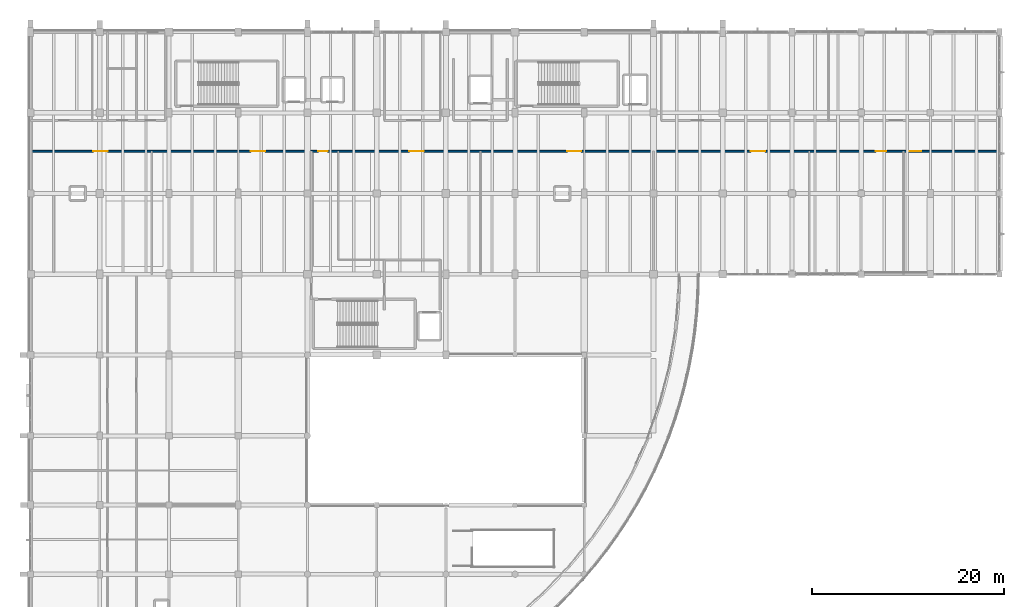
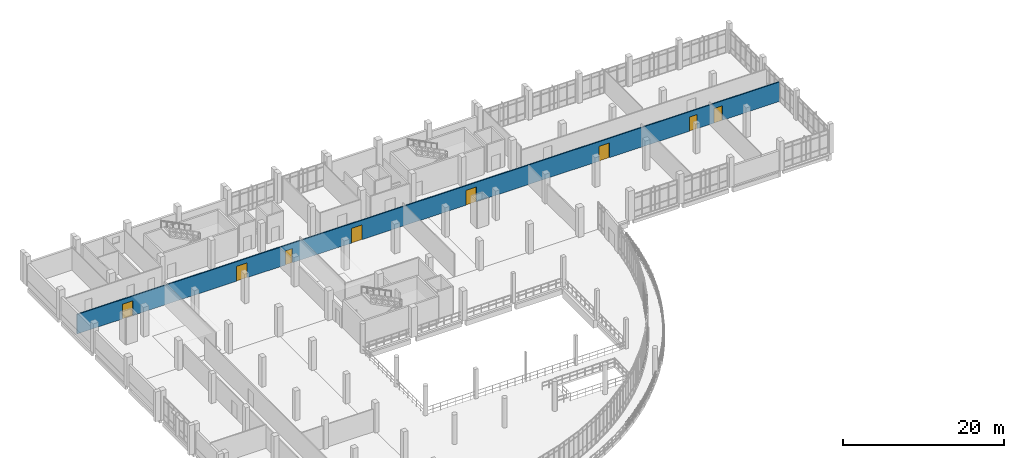
# One storey, part 105 of 116: 8 doors, 1 wall, 8 openings.
"""IFC4 building model written with IfcOpenShell, lengths in metres."""

from ifc_helpers import new_model, si_unit, direction, frame, frame_2d, origin, place, context, subcontext, project, spatial, rectangle, extrude, material, layer, layer_set, type_object, element, fill, save


model = new_model("IFC4")

# Units and contexts
model_context = context("Model", 3, precision=1e-05, world=origin(), true_north=direction((0.0, 1.0)))
body_context = subcontext(model_context, "Body", "Model", "MODEL_VIEW")
ifc_project = project(units=[si_unit("LENGTHUNIT", "METRE"), si_unit("AREAUNIT", "SQUARE_METRE"), si_unit("VOLUMEUNIT", "CUBIC_METRE"), si_unit("PLANEANGLEUNIT", "RADIAN"), si_unit("MASSUNIT", "GRAM", prefix="KILO")], contexts=[model_context])

# Site, building, storey
site_placement = place(None, origin())
site = spatial("IfcSite", under=ifc_project, at=site_placement, CompositionType="ELEMENT")
building_placement = place(site_placement, origin())
building = spatial("IfcBuilding", under=site, at=building_placement, Name="Kalluvel Institute of Natural Sciences", CompositionType="ELEMENT")
storey_placement = place(building_placement, frame((0.0, 0.0, 14.39990234375)))
storey = spatial("IfcBuildingStorey", under=building, at=storey_placement, Name="L03", CompositionType="ELEMENT", Elevation=14.39990234375)

# Wall, openings, doors
ifc_material_1 = material(Name="Autoclaved Aerated Concrete Masonry Block", Category="masonry")
ifc_layer = layer(ifc_material_1, 0.159912109375)
ifc_layer_set = layer_set([ifc_layer], Name="Autoclaved Aerated Concrete Masonry Block")
wall_type = type_object("IfcWallType", Name="WL-PART-160", PredefinedType="PARTITIONING", material=ifc_layer_set)
wall_placement = place(storey_placement, frame((14.0, 115.60009765625, 0.0), z_axis=(0.0, 0.0, 1.0), x_axis=(1.0, 0.0, 0.0)))
wall = element("IfcWall", 1, at=wall_placement, inside=storey, type_object=wall_type, Name="L03 interior partition wall WL-INT-L03-0185", PredefinedType="PARTITIONING", context=body_context, shape_type="SweptSolid", body=[
    extrude(rectangle(XDim=100.800048828125, YDim=0.159912109375, at=frame_2d((50.39990234375, 0.0))), origin(), (0.0, 0.0, 1.0), 2.960205078125),
])
opening_1_placement = place(wall_placement, frame((29.89990234375, 0.0, 0.0)))
opening_1 = element("IfcOpeningElement", 2, at=opening_1_placement, cuts=wall, Name="Opening D-153", PredefinedType="OPENING", context=body_context, shape_type="SweptSolid", body=[
    extrude(rectangle(XDim=1.0, YDim=2.14990234375, at=frame_2d((0.5, 1.074951171875))), frame((0.0, 0.08984375, 0.0), z_axis=(0.0, -1.0, 0.0), x_axis=(1.0, 0.0, 0.0)), (0.0, 0.0, 1.0), 0.179931640625),
])
opening_2_placement = place(wall_placement, frame((6.5, 0.0, 0.0)))
opening_2 = element("IfcOpeningElement", 3, at=opening_2_placement, cuts=wall, Name="Opening D-154", PredefinedType="OPENING", context=body_context, shape_type="SweptSolid", body=[
    extrude(rectangle(XDim=1.5, YDim=2.25, at=frame_2d((0.75, 1.125))), frame((0.0, 0.08984375, 0.0), z_axis=(0.0, -1.0, 0.0), x_axis=(1.0, 0.0, 0.0)), (0.0, 0.0, 1.0), 0.179931640625),
])
opening_3_placement = place(wall_placement, frame((22.89990234375, 0.0, 0.0)))
opening_3 = element("IfcOpeningElement", 4, at=opening_3_placement, cuts=wall, Name="Opening D-155", PredefinedType="OPENING", context=body_context, shape_type="SweptSolid", body=[
    extrude(rectangle(XDim=1.5, YDim=2.25, at=frame_2d((0.75, 1.125))), frame((0.0, 0.08984375, 0.0), z_axis=(0.0, -1.0, 0.0), x_axis=(1.0, 0.0, 0.0)), (0.0, 0.0, 1.0), 0.179931640625),
])
opening_4_placement = place(wall_placement, frame((39.39990234375, 0.0, 0.0)))
opening_4 = element("IfcOpeningElement", 5, at=opening_4_placement, cuts=wall, Name="Opening D-156", PredefinedType="OPENING", context=body_context, shape_type="SweptSolid", body=[
    extrude(rectangle(XDim=1.5, YDim=2.25, at=frame_2d((0.75, 1.125))), frame((0.0, 0.08984375, 0.0), z_axis=(0.0, -1.0, 0.0), x_axis=(1.0, 0.0, 0.0)), (0.0, 0.0, 1.0), 0.179931640625),
])
opening_5_placement = place(wall_placement, frame((55.800048828125, 0.0, 0.0)))
opening_5 = element("IfcOpeningElement", 6, at=opening_5_placement, cuts=wall, Name="Opening D-157", PredefinedType="OPENING", context=body_context, shape_type="SweptSolid", body=[
    extrude(rectangle(XDim=1.5, YDim=2.25, at=frame_2d((0.75, 1.125))), frame((0.0, 0.08984375, 0.0), z_axis=(0.0, -1.0, 0.0), x_axis=(1.0, 0.0, 0.0)), (0.0, 0.0, 1.0), 0.179931640625),
])
opening_6_placement = place(wall_placement, frame((74.89990234375, 0.0, 0.0)))
opening_6 = element("IfcOpeningElement", 7, at=opening_6_placement, cuts=wall, Name="Opening D-158", PredefinedType="OPENING", context=body_context, shape_type="SweptSolid", body=[
    extrude(rectangle(XDim=1.5, YDim=2.25, at=frame_2d((0.75, 1.125))), frame((0.0, 0.08984375, 0.0), z_axis=(0.0, -1.0, 0.0), x_axis=(1.0, 0.0, 0.0)), (0.0, 0.0, 1.0), 0.179931640625),
])
opening_7_placement = place(wall_placement, frame((87.89990234375, 0.0, 0.0)))
opening_7 = element("IfcOpeningElement", 8, at=opening_7_placement, cuts=wall, Name="Opening D-159", PredefinedType="OPENING", context=body_context, shape_type="SweptSolid", body=[
    extrude(rectangle(XDim=1.10009765625, YDim=2.14990234375, at=frame_2d((0.550048828125, 1.074951171875))), frame((0.0, 0.08984375, 0.0), z_axis=(0.0, -1.0, 0.0), x_axis=(1.0, 0.0, 0.0)), (0.0, 0.0, 1.0), 0.179931640625),
])
opening_8_placement = place(wall_placement, frame((91.449951171875, 0.0, 0.0)))
opening_8 = element("IfcOpeningElement", 9, at=opening_8_placement, cuts=wall, Name="Opening D-160", PredefinedType="OPENING", context=body_context, shape_type="SweptSolid", body=[
    extrude(rectangle(XDim=1.179931640625, YDim=2.199951171875, at=frame_2d((0.58984375, 1.10009765625))), frame((0.0, 0.08984375, 0.0), z_axis=(0.0, -1.0, 0.0), x_axis=(1.0, 0.0, 0.0)), (0.0, 0.0, 1.0), 0.179931640625),
])
ifc_material_2 = material(Name="Engineered Hardwood Acoustic Leaf", Category="wood")
door_type_1 = type_object("IfcDoorType", Name="DR-INT-1000", OperationType="NOTDEFINED", PredefinedType="DOOR", material=ifc_material_2)
door_1_placement = place(opening_1_placement, origin())
door_1 = element("IfcDoor", 10, at=door_1_placement, inside=storey, type_object=door_type_1, Name="L03 Knuckle to Spine door D-153", OperationType="SINGLE_SWING_RIGHT", OverallHeight=2.14990234375, OverallWidth=1.0, PredefinedType="DOOR", context=body_context, shape_type="SweptSolid", body=[
    extrude(rectangle(XDim=1.0, YDim=2.14990234375, at=frame_2d((0.5, 1.074951171875))), frame((0.0, 0.02490234375, 0.0), z_axis=(0.0, -1.0, 0.0), x_axis=(1.0, 0.0, 0.0)), (0.0, 0.0, 1.0), 0.050048828125),
])
fill(opening_1, door_1)
door_type_2 = type_object("IfcDoorType", Name="DR-INT-1100", OperationType="NOTDEFINED", PredefinedType="DOOR", material=ifc_material_2)
door_2_placement = place(opening_7_placement, origin())
door_2 = element("IfcDoor", 11, at=door_2_placement, inside=storey, type_object=door_type_2, Name="Fluorescence Confocal Microscopy Suite door D-159", OperationType="SINGLE_SWING_RIGHT", OverallHeight=2.14990234375, OverallWidth=1.10009765625, PredefinedType="DOOR", context=body_context, shape_type="SweptSolid", body=[
    extrude(rectangle(XDim=1.10009765625, YDim=2.14990234375, at=frame_2d((0.550048828125, 1.074951171875))), frame((0.0, 0.02490234375, 0.0), z_axis=(0.0, -1.0, 0.0), x_axis=(1.0, 0.0, 0.0)), (0.0, 0.0, 1.0), 0.050048828125),
])
fill(opening_7, door_2)
door_type_3 = type_object("IfcDoorType", Name="DR-INT-1180", OperationType="NOTDEFINED", PredefinedType="DOOR", material=ifc_material_2)
door_3_placement = place(opening_8_placement, origin())
door_3 = element("IfcDoor", 12, at=door_3_placement, inside=storey, type_object=door_type_3, Name="Cell Culture Media Preparation Room door D-160", OperationType="SINGLE_SWING_LEFT", OverallHeight=2.199951171875, OverallWidth=1.179931640625, PredefinedType="DOOR", context=body_context, shape_type="SweptSolid", body=[
    extrude(rectangle(XDim=1.179931640625, YDim=2.199951171875, at=frame_2d((0.58984375, 1.10009765625))), frame((0.0, 0.02490234375, 0.0), z_axis=(0.0, -1.0, 0.0), x_axis=(1.0, 0.0, 0.0)), (0.0, 0.0, 1.0), 0.050048828125),
])
fill(opening_8, door_3)
ifc_material_3 = material(Name="Aluminium AW-6063 T6", Category="aluminium")
door_type_4 = type_object("IfcDoorType", Name="DR-LAB-1500", OperationType="NOTDEFINED", PredefinedType="DOOR", material=ifc_material_3)
door_4_placement = place(opening_2_placement, origin())
door_4 = element("IfcDoor", 13, at=door_4_placement, inside=storey, type_object=door_type_4, Name="Bio-Electrochemistry Wet Laboratory door D-154", OperationType="DOUBLE_DOOR_SINGLE_SWING", OverallHeight=2.25, OverallWidth=1.5, PredefinedType="DOOR", context=body_context, shape_type="SweptSolid", body=[
    extrude(rectangle(XDim=1.5, YDim=2.25, at=frame_2d((0.75, 1.125))), frame((0.0, 0.02490234375, 0.0), z_axis=(0.0, -1.0, 0.0), x_axis=(1.0, 0.0, 0.0)), (0.0, 0.0, 1.0), 0.050048828125),
])
fill(opening_2, door_4)
door_5_placement = place(opening_3_placement, origin())
door_5 = element("IfcDoor", 14, at=door_5_placement, inside=storey, type_object=door_type_4, Name="Polymer Biomaterials Wet Laboratory door D-155", OperationType="DOUBLE_DOOR_SINGLE_SWING", OverallHeight=2.25, OverallWidth=1.5, PredefinedType="DOOR", context=body_context, shape_type="SweptSolid", body=[
    extrude(rectangle(XDim=1.5, YDim=2.25, at=frame_2d((0.75, 1.125))), frame((0.0, 0.02490234375, 0.0), z_axis=(0.0, -1.0, 0.0), x_axis=(1.0, 0.0, 0.0)), (0.0, 0.0, 1.0), 0.050048828125),
])
fill(opening_3, door_5)
door_6_placement = place(opening_4_placement, origin())
door_6 = element("IfcDoor", 15, at=door_6_placement, inside=storey, type_object=door_type_4, Name="Single-Cell Genomics Wet Laboratory door D-156", OperationType="DOUBLE_DOOR_SINGLE_SWING", OverallHeight=2.25, OverallWidth=1.5, PredefinedType="DOOR", context=body_context, shape_type="SweptSolid", body=[
    extrude(rectangle(XDim=1.5, YDim=2.25, at=frame_2d((0.75, 1.125))), frame((0.0, 0.02490234375, 0.0), z_axis=(0.0, -1.0, 0.0), x_axis=(1.0, 0.0, 0.0)), (0.0, 0.0, 1.0), 0.050048828125),
])
fill(opening_4, door_6)
door_7_placement = place(opening_5_placement, origin())
door_7 = element("IfcDoor", 16, at=door_7_placement, inside=storey, type_object=door_type_4, Name="Proteomics and Structural Biology Laboratory door D-157", OperationType="DOUBLE_DOOR_SINGLE_SWING", OverallHeight=2.25, OverallWidth=1.5, PredefinedType="DOOR", context=body_context, shape_type="SweptSolid", body=[
    extrude(rectangle(XDim=1.5, YDim=2.25, at=frame_2d((0.75, 1.125))), frame((0.0, 0.02490234375, 0.0), z_axis=(0.0, -1.0, 0.0), x_axis=(1.0, 0.0, 0.0)), (0.0, 0.0, 1.0), 0.050048828125),
])
fill(opening_5, door_7)
door_8_placement = place(opening_6_placement, origin())
door_8 = element("IfcDoor", 17, at=door_8_placement, inside=storey, type_object=door_type_4, Name="RNA Therapeutics Wet Laboratory door D-158", OperationType="DOUBLE_DOOR_SINGLE_SWING", OverallHeight=2.25, OverallWidth=1.5, PredefinedType="DOOR", context=body_context, shape_type="SweptSolid", body=[
    extrude(rectangle(XDim=1.5, YDim=2.25, at=frame_2d((0.75, 1.125))), frame((0.0, 0.02490234375, 0.0), z_axis=(0.0, -1.0, 0.0), x_axis=(1.0, 0.0, 0.0)), (0.0, 0.0, 1.0), 0.050048828125),
])
fill(opening_6, door_8)

save(model, "model.ifc")
